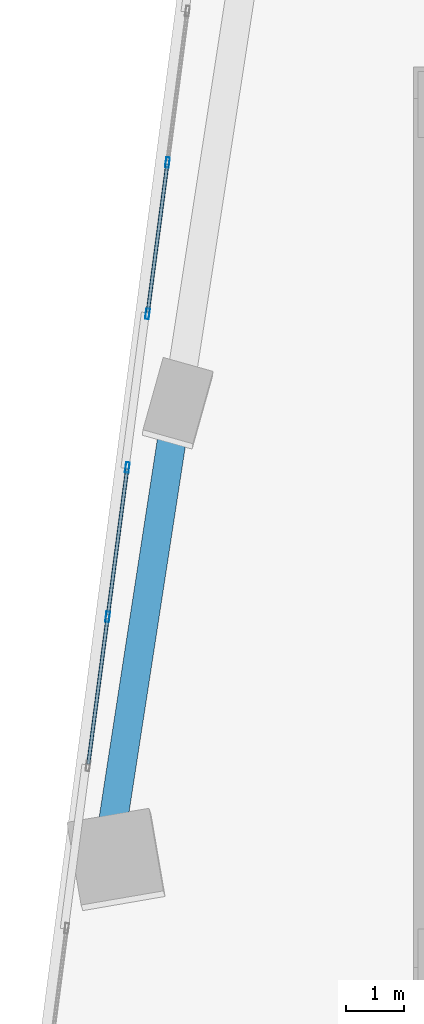
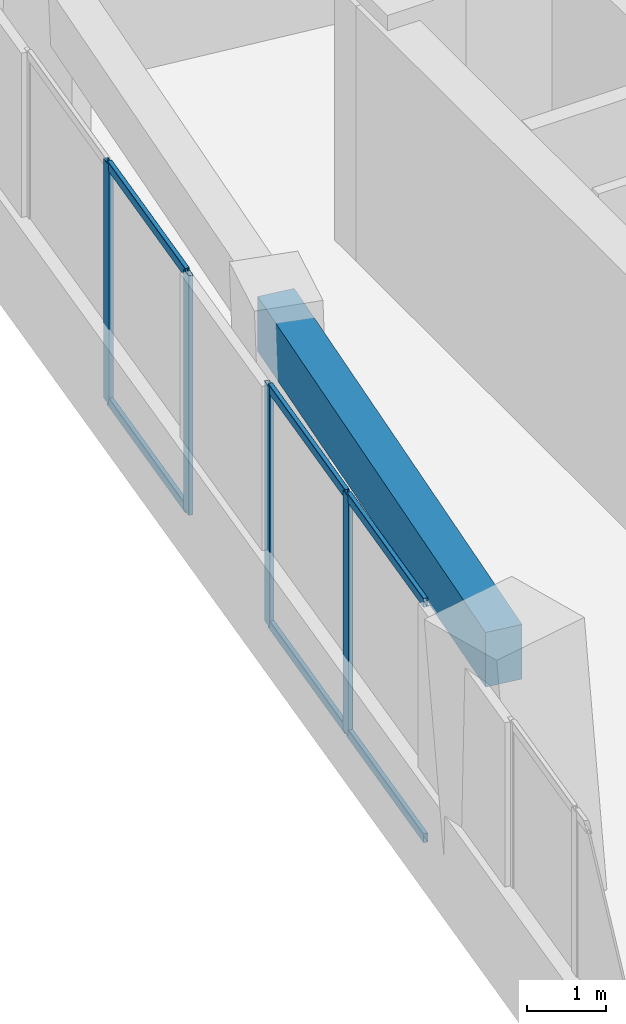
# One storey, part 7 of 24: 10 members, 1 beam, 2 elements without a shape of their own.
"""IFC4 building model written with IfcOpenShell, lengths in metres."""

import ifcopenshell
import ifcopenshell.guid

model = None  # the IFC model being written
_history = None  # IfcOwnerHistory: only IFC2X3 demands one
_inside = {}  # id of a spatial element -> (the spatial element, [elements in it])
_under = {}  # id of a project, library or spatial element -> (it, [spatial elements below it])
_declared = {}  # id of a project -> (the project, [libraries it declares])
_typed = {}  # id of a type object -> (the type object, [elements of that type])
_made_of = {}  # id of a material, layer set ... -> (it, [elements and type objects made of it])


def new_model(schema):
    """Start an empty IFC model of exactly this schema.

    Asked for "IFC4X3", IfcOpenShell would pick the latest addendum, in which some entities
    have other attributes; the version numbers below select the first issue.
    IFC2X3 requires an IfcOwnerHistory on every rooted entity: one is made here for all.
    """
    global model, _history
    if schema == "IFC4X3":
        model = ifcopenshell.file(schema_version=(4, 3, 0, 0))
    else:
        model = ifcopenshell.file(schema=schema)
    _inside.clear()
    _under.clear()
    _declared.clear()
    _typed.clear()
    _made_of.clear()
    _history = None
    if model.schema == "IFC2X3":
        org = make("IfcOrganization", Name="unknown")
        user = make(
            "IfcPersonAndOrganization",
            ThePerson=make("IfcPerson", FamilyName="unknown"),
            TheOrganization=org,
        )
        app = make(
            "IfcApplication",
            ApplicationDeveloper=org,
            Version="unknown",
            ApplicationFullName="unknown",
            ApplicationIdentifier="unknown",
        )
        _history = make(
            "IfcOwnerHistory",
            OwningUser=user,
            OwningApplication=app,
            ChangeAction="ADDED",
            CreationDate=0,
        )
    return model


def make(cls, **values):
    """One entity of the class cls with the attributes given. An attribute that is None is left unset."""
    return model.create_entity(
        cls, **{name: value for name, value in values.items() if value is not None}
    )


def rooted(cls, **values):
    """An entity with a GlobalId (a new one), such as an element, a storey or a relation."""
    return make(cls, GlobalId=ifcopenshell.guid.new(), OwnerHistory=_history, **values)


def si_unit(unit_type, name, prefix=None):
    """IfcSIUnit, for example si_unit("LENGTHUNIT", "METRE", prefix="MILLI")."""
    return make("IfcSIUnit", UnitType=unit_type, Prefix=prefix, Name=name)


def assignment(units):
    """IfcUnitAssignment: the units of a project."""
    return None if units is None else make("IfcUnitAssignment", Units=units)


def point(xyz):
    """IfcCartesianPoint."""
    return None if xyz is None else make("IfcCartesianPoint", Coordinates=xyz)


def direction(xyz):
    """IfcDirection."""
    return None if xyz is None else make("IfcDirection", DirectionRatios=xyz)


def frame(location, z_axis=None, x_axis=None):
    """IfcAxis2Placement3D, a coordinate frame: its origin and axes. An axis left out is left unset."""
    return make(
        "IfcAxis2Placement3D",
        Location=point(location),
        Axis=direction(z_axis),
        RefDirection=direction(x_axis),
    )


def frame_2d(location, x_axis=None):
    """IfcAxis2Placement2D, a coordinate frame in the plane: its origin and x axis."""
    return make(
        "IfcAxis2Placement2D", Location=point(location), RefDirection=direction(x_axis)
    )


def origin():
    """The frame at (0, 0, 0) with its axes left unset."""
    return frame((0.0, 0.0, 0.0))


def origin_2d():
    """The frame at (0, 0) in the plane with its x axis left unset."""
    return frame_2d((0.0, 0.0))


def place(relative_to, where):
    """IfcLocalPlacement: puts the frame where relative to a parent placement (None: the world)."""
    return make(
        "IfcLocalPlacement", PlacementRelTo=relative_to, RelativePlacement=where
    )


def context(
    kind, dimensions, precision=None, world=None, true_north=None, identifier=None
):
    """IfcGeometricRepresentationContext, for example the 3D "Model" context."""
    return make(
        "IfcGeometricRepresentationContext",
        ContextIdentifier=identifier,
        ContextType=kind,
        CoordinateSpaceDimension=dimensions,
        Precision=precision,
        WorldCoordinateSystem=world,
        TrueNorth=true_north,
    )


def subcontext(parent, identifier, kind, view, scale=None):
    """IfcGeometricRepresentationSubContext, for example "Body" below "Model"."""
    return make(
        "IfcGeometricRepresentationSubContext",
        ContextIdentifier=identifier,
        ContextType=kind,
        ParentContext=parent,
        TargetScale=scale,
        TargetView=view,
    )


def project(units=None, contexts=None):
    """IfcProject with its units and contexts."""
    return rooted(
        "IfcProject",
        Name="project",
        RepresentationContexts=contexts,
        UnitsInContext=assignment(units),
    )


def spatial(cls, under=None, at=None, **own):
    """A site, building, storey or space (cls), placed at a placement, below another one or the project."""
    s = rooted(cls, ObjectPlacement=at, **own)
    if under is not None:
        _under.setdefault(under.id(), (under, []))[1].append(s)
    return s


def profile(cls, at=None, kind="AREA", **sizes):
    """A parametric profile (cls). Its sizes go by their IFC names, for example OverallWidth=200.0."""
    return make(cls, ProfileType=kind, Position=at, **sizes)


def rectangle(**sizes):
    """IfcRectangleProfileDef."""
    return profile("IfcRectangleProfileDef", **sizes)


def hollow_rectangle(**sizes):
    """IfcRectangleHollowProfileDef."""
    return profile("IfcRectangleHollowProfileDef", **sizes)


def extrude(swept, where, along, depth):
    """IfcExtrudedAreaSolid: the profile swept, set in the frame where, extruded along a direction by depth."""
    return make(
        "IfcExtrudedAreaSolid",
        SweptArea=swept,
        Position=where,
        ExtrudedDirection=direction(along),
        Depth=depth,
    )


def shape(context_of_items, identifier, shape_type, items):
    """IfcShapeRepresentation: the items that make up one representation, for example the "Body"."""
    return make(
        "IfcShapeRepresentation",
        ContextOfItems=context_of_items,
        RepresentationIdentifier=identifier,
        RepresentationType=shape_type,
        Items=items,
    )


def source(mapping_origin, context_of_items, identifier, shape_type, items):
    """IfcRepresentationMap: a shape defined once, which mapped items show again and again."""
    return make(
        "IfcRepresentationMap",
        MappingOrigin=mapping_origin,
        MappedRepresentation=shape(context_of_items, identifier, shape_type, items),
    )


def transform(
    local_origin,
    x_axis=None,
    y_axis=None,
    z_axis=None,
    scale=None,
    scale2=None,
    scale3=None,
    uniform=True,
):
    """IfcCartesianTransformationOperator3D, or its non-uniform kind. x_axis, y_axis, z_axis: its Axis1, 2, 3."""
    if uniform:
        return make(
            "IfcCartesianTransformationOperator3D",
            Axis1=direction(x_axis),
            Axis2=direction(y_axis),
            LocalOrigin=point(local_origin),
            Scale=scale,
            Axis3=direction(z_axis),
        )
    return make(
        "IfcCartesianTransformationOperator3DnonUniform",
        Axis1=direction(x_axis),
        Axis2=direction(y_axis),
        LocalOrigin=point(local_origin),
        Scale=scale,
        Axis3=direction(z_axis),
        Scale2=scale2,
        Scale3=scale3,
    )


def mapped(mapping_source, mapping_target):
    """IfcMappedItem: shows the shape of a source again, moved by a transform."""
    return make(
        "IfcMappedItem", MappingSource=mapping_source, MappingTarget=mapping_target
    )


def material(Name=None, Category=None):
    """IfcMaterial."""
    return make("IfcMaterial", Name=Name, Category=Category)


def material_profile(
    of_material, cross_section, Name=None, Category=None, Priority=None
):
    """IfcMaterialProfile: a cross section and its material."""
    return make(
        "IfcMaterialProfile",
        Name=Name,
        Material=of_material,
        Profile=cross_section,
        Priority=Priority,
        Category=Category,
    )


def profile_set(profiles, Name=None, composite=None):
    """IfcMaterialProfileSet."""
    return make(
        "IfcMaterialProfileSet",
        Name=Name,
        MaterialProfiles=profiles,
        CompositeProfile=composite,
    )


def made_of(thing, what):
    """Note that an element or type object is made of a material, layer set ...; save() writes the relation."""
    if what is not None:
        _made_of.setdefault(what.id(), (what, []))[1].append(thing)
    return thing


def type_object(cls, material=None, **own):
    """A type object (cls), such as IfcWallType, which elements share."""
    return made_of(rooted(cls, **own), material)


def element(
    cls,
    number,
    at=None,
    inside=None,
    cuts=None,
    type_object=None,
    material=None,
    context=None,
    identifier="Body",
    shape_type=None,
    held_by="IfcProductDefinitionShape",
    body=None,
    shapes=None,
    **own,
):
    """One element of the class cls, such as IfcWall. Its Tag is "e" and its number.

    at: its placement. inside: the storey or other place that contains it. cuts: it is an
    opening in that element (IfcRelVoidsElement). A single representation is given by context,
    identifier, shape_type and body (its items); several are given by shapes. held_by: the class
    of the entity that holds the representations. save() writes the other relations.
    """
    e = rooted(cls, Tag="e%d" % number, ObjectPlacement=at, **own)
    if body is not None:
        shapes = [shape(context, identifier, shape_type, body)]
    if shapes is not None:
        e.Representation = make(held_by, Representations=shapes)
    if inside is not None:
        _inside.setdefault(inside.id(), (inside, []))[1].append(e)
    if cuts is not None:
        rooted(
            "IfcRelVoidsElement", RelatingBuildingElement=cuts, RelatedOpeningElement=e
        )
    if type_object is not None:
        _typed.setdefault(type_object.id(), (type_object, []))[1].append(e)
    return made_of(e, material)


def aggregate(whole, parts):
    """IfcRelAggregates: a whole, such as a stair, and the parts it consists of."""
    return rooted("IfcRelAggregates", RelatingObject=whole, RelatedObjects=parts)


def save(model, path):
    """Write the relations noted so far, then the file.

    IfcRelAggregates (storeys below a building ...), IfcRelContainedInSpatialStructure (elements
    in a storey), IfcRelDefinesByType, IfcRelAssociatesMaterial and IfcRelDeclares: one each for
    every whole, place, type object, material and project.
    """
    for whole, parts in _under.values():
        aggregate(whole, parts)
    for where, things in _inside.values():
        rooted(
            "IfcRelContainedInSpatialStructure",
            RelatedElements=things,
            RelatingStructure=where,
        )
    for kind, things in _typed.values():
        rooted("IfcRelDefinesByType", RelatedObjects=things, RelatingType=kind)
    for what, things in _made_of.values():
        rooted("IfcRelAssociatesMaterial", RelatedObjects=things, RelatingMaterial=what)
    for by, libraries in _declared.values():
        rooted("IfcRelDeclares", RelatingContext=by, RelatedDefinitions=libraries)
    model.write(path)


model = new_model("IFC4")

# Units and contexts
model_context = context("Model", 3, precision=1e-05, world=origin(), true_north=direction((0.0, 1.0)))
body_context = subcontext(model_context, "Body", "Model", "MODEL_VIEW")
ifc_project = project(units=[si_unit("LENGTHUNIT", "METRE"), si_unit("AREAUNIT", "SQUARE_METRE"), si_unit("VOLUMEUNIT", "CUBIC_METRE"), si_unit("PLANEANGLEUNIT", "RADIAN"), si_unit("MASSUNIT", "GRAM", prefix="KILO")], contexts=[model_context])

# Site, building, storey
site_placement = place(None, origin())
site = spatial("IfcSite", under=ifc_project, at=site_placement, CompositionType="ELEMENT")
building_placement = place(site_placement, origin())
building = spatial("IfcBuilding", under=site, at=building_placement, Name="Torre Montelarca", CompositionType="ELEMENT")
storey_placement = place(building_placement, frame((0.0, 0.0, 66.39990234375)))
storey = spatial("IfcBuildingStorey", under=building, at=storey_placement, Name="L14", CompositionType="ELEMENT", Elevation=66.39990234375)

# Beam
ifc_material_1 = material(Name="Concrete C55/67", Category="concrete")
ifc_material_profile_1 = material_profile(ifc_material_1, rectangle(XDim=0.5, YDim=0.85009765625, at=origin_2d()), Name="RCB500X850", Category="concrete")
ifc_profile_set_1 = profile_set([ifc_material_profile_1], Name="Concrete C55/67")
beam_type = type_object("IfcBeamType", Name="BM-SP-RC850-EXT", PredefinedType="SPANDREL", material=ifc_profile_set_1)
shared_shape_1 = source(origin(), body_context, "Body", "SweptSolid", [
    extrude(rectangle(XDim=0.5, YDim=0.85009765625, at=origin_2d()), origin(), (0.0, 0.0, 1.0), 7.999755859375),
])
beam_placement = place(storey_placement, frame((3.629150390625, 26.656494140625, 3.53515625), z_axis=(0.152132861706, 0.988360052, 0.0), x_axis=(-0.988360052, 0.152132861706, 0.0)))
element("IfcBeam", 1, at=beam_placement, inside=storey, type_object=beam_type, Name="L14 Grid Girder Y 24.0-32.0 at X=4.7", PredefinedType="SPANDREL", context=body_context, shape_type="MappedRepresentation", body=[
    mapped(shared_shape_1, transform((0.0, 0.0, 0.0), scale=1.0)),
])

# Curtain wall, members
ifc_material_2 = material(Name="Insulated low-E laminated glass", Category="glass")
curtain_wall_type = type_object("IfcCurtainWallType", Name="CW-SYS-Z1", PredefinedType="USERDEFINED", material=ifc_material_2)
curtain_wall_1_placement = place(storey_placement, origin())
curtain_wall_1 = element("IfcCurtainWall", 2, at=curtain_wall_1_placement, inside=storey, type_object=curtain_wall_type, Name="L14 Curtain Wall Run CW-T3-L14-E10-B1", ObjectType="UNITISED GLAZING", PredefinedType="USERDEFINED")
ifc_material_3 = material(Name="Anodised aluminium AA 6063-T6", Category="aluminium")
ifc_material_profile_2 = material_profile(ifc_material_3, hollow_rectangle(XDim=0.06494140625, YDim=0.139892578125, WallThickness=0.00390625, InnerFilletRadius=0.00390625, OuterFilletRadius=0.008056640625, at=origin_2d()), Name="ALU65X140X4", Category="aluminium")
ifc_profile_set_2 = profile_set([ifc_material_profile_2], Name="Anodised aluminium AA 6063-T6")
member_type_1 = type_object("IfcMemberType", Name="CWT-ALU140", PredefinedType="USERDEFINED", material=ifc_profile_set_2)
shared_shape_2 = source(origin(), body_context, "Body", "SweptSolid", [
    extrude(hollow_rectangle(XDim=0.06494140625, YDim=0.139892578125, WallThickness=0.00390625, InnerFilletRadius=0.00390625, OuterFilletRadius=0.008056640625, at=origin_2d()), origin(), (0.0, 0.0, 1.0), 2.5888671875),
])
member_1_placement = place(storey_placement, frame((4.622314453125, 38.4091796875, 0.03271484375), z_axis=(-0.130613077624, -0.99143341882, 0.0), x_axis=(0.99143341882, -0.130613077624, 0.0)))
member_1 = element("IfcMember", 3, at=member_1_placement, type_object=member_type_1, Name="CW transom 2.1", ObjectType="TRANSOM", PredefinedType="USERDEFINED", context=body_context, shape_type="MappedRepresentation", body=[
    mapped(shared_shape_2, transform((0.0, 0.0, 0.0), scale=1.0)),
])
member_2_placement = place(storey_placement, frame((4.622314453125, 38.4091796875, 3.6875), z_axis=(-0.130613077624, -0.99143341882, 0.0), x_axis=(0.99143341882, -0.130613077624, 0.0)))
member_2 = element("IfcMember", 4, at=member_2_placement, type_object=member_type_1, Name="CW transom 2.2", ObjectType="TRANSOM", PredefinedType="USERDEFINED", context=body_context, shape_type="MappedRepresentation", body=[
    mapped(shared_shape_2, transform((0.0, 0.0, 0.0), scale=1.0)),
])

curtain_wall_2_placement = place(storey_placement, origin())
curtain_wall_2 = element("IfcCurtainWall", 5, at=curtain_wall_2_placement, inside=storey, type_object=curtain_wall_type, Name="L14 Curtain Wall Run CW-T3-L14-E10-B2", ObjectType="UNITISED GLAZING", PredefinedType="USERDEFINED")
shared_shape_3 = source(origin(), body_context, "Body", "SweptSolid", [
    extrude(hollow_rectangle(XDim=0.06494140625, YDim=0.139892578125, WallThickness=0.00390625, InnerFilletRadius=0.00390625, OuterFilletRadius=0.008056640625, at=origin_2d()), origin(), (0.0, 0.0, 1.0), 2.55029296875),
])
member_3_placement = place(storey_placement, frame((3.92431640625, 33.108642578125, 0.03271484375), z_axis=(-0.130476799032, -0.991451362859, 0.0), x_axis=(0.991451362859, -0.130476799032, 0.0)))
member_3 = element("IfcMember", 6, at=member_3_placement, type_object=member_type_1, Name="CW transom 1.1", ObjectType="TRANSOM", PredefinedType="USERDEFINED", context=body_context, shape_type="MappedRepresentation", body=[
    mapped(shared_shape_3, transform((0.0, 0.0, 0.0), scale=1.0)),
])
member_4_placement = place(storey_placement, frame((3.92431640625, 33.108642578125, 3.6875), z_axis=(-0.130476799032, -0.991451362859, 0.0), x_axis=(0.991451362859, -0.130476799032, 0.0)))
member_4 = element("IfcMember", 7, at=member_4_placement, type_object=member_type_1, Name="CW transom 1.2", ObjectType="TRANSOM", PredefinedType="USERDEFINED", context=body_context, shape_type="MappedRepresentation", body=[
    mapped(shared_shape_3, transform((0.0, 0.0, 0.0), scale=1.0)),
])

# Member
ifc_material_profile_3 = material_profile(ifc_material_3, hollow_rectangle(XDim=0.06494140625, YDim=0.179931640625, WallThickness=0.00390625, InnerFilletRadius=0.00390625, OuterFilletRadius=0.008056640625, at=origin_2d()), Name="ALU65X180X4", Category="aluminium")
ifc_profile_set_3 = profile_set([ifc_material_profile_3], Name="Anodised aluminium AA 6063-T6")
member_type_2 = type_object("IfcMemberType", Name="CWM-ALU180", PredefinedType="MULLION", material=ifc_profile_set_3)
shared_shape_4 = source(origin(), body_context, "Body", "SweptSolid", [
    extrude(hollow_rectangle(XDim=0.06494140625, YDim=0.179931640625, WallThickness=0.00390625, InnerFilletRadius=0.00390625, OuterFilletRadius=0.008056640625, at=origin_2d()), origin(), (0.0, 0.0, 1.0), 3.72021484375),
])
member_5_placement = place(storey_placement, frame((4.62646484375, 38.44140625, 0.0), z_axis=(0.0, 0.0, 1.0), x_axis=(0.991443268198, -0.13053829302, 0.0)))
member_5 = element("IfcMember", 8, at=member_5_placement, type_object=member_type_2, Name="CW mullion 2", PredefinedType="MULLION", context=body_context, shape_type="MappedRepresentation", body=[
    mapped(shared_shape_4, transform((0.0, 0.0, 0.0), scale=1.0)),
])

member_6_placement = place(storey_placement, frame((4.280029296875, 35.810302734375, 0.0), z_axis=(0.0, 0.0, 1.0), x_axis=(0.991443268198, -0.13053829302, 0.0)))
member_6 = element("IfcMember", 9, at=member_6_placement, type_object=member_type_2, Name="CW mullion 3", PredefinedType="MULLION", context=body_context, shape_type="MappedRepresentation", body=[
    mapped(shared_shape_4, transform((0.0, 0.0, 0.0), scale=1.0)),
])

aggregate(curtain_wall_1, [member_5, member_6, member_1, member_2])

member_7_placement = place(storey_placement, frame((3.928466796875, 33.140869140625, 0.0), z_axis=(0.0, 0.0, 1.0), x_axis=(0.991444908852, -0.130525831588, 0.0)))
member_7 = element("IfcMember", 10, at=member_7_placement, type_object=member_type_2, Name="CW mullion 1", PredefinedType="MULLION", context=body_context, shape_type="MappedRepresentation", body=[
    mapped(shared_shape_4, transform((0.0, 0.0, 0.0), scale=1.0)),
])

member_8_placement = place(storey_placement, frame((3.587158203125, 30.5478515625, 0.0), z_axis=(0.0, 0.0, 1.0), x_axis=(0.991444908852, -0.130525831588, 0.0)))
member_8 = element("IfcMember", 11, at=member_8_placement, type_object=member_type_2, Name="CW mullion 2", PredefinedType="MULLION", context=body_context, shape_type="MappedRepresentation", body=[
    mapped(shared_shape_4, transform((0.0, 0.0, 0.0), scale=1.0)),
])

shared_shape_5 = source(origin(), body_context, "Body", "SweptSolid", [
    extrude(hollow_rectangle(XDim=0.06494140625, YDim=0.139892578125, WallThickness=0.00390625, InnerFilletRadius=0.00390625, OuterFilletRadius=0.008056640625, at=origin_2d()), origin(), (0.0, 0.0, 1.0), 2.550048828125),
])
member_9_placement = place(storey_placement, frame((3.5830078125, 30.515625, 0.03271484375), z_axis=(-0.130583288492, -0.991437342834, 0.0), x_axis=(0.991437342834, -0.130583288492, 0.0)))
member_9 = element("IfcMember", 12, at=member_9_placement, type_object=member_type_1, Name="CW transom 2.1", ObjectType="TRANSOM", PredefinedType="USERDEFINED", context=body_context, shape_type="MappedRepresentation", body=[
    mapped(shared_shape_5, transform((0.0, 0.0, 0.0), scale=1.0)),
])

member_10_placement = place(storey_placement, frame((3.5830078125, 30.515625, 3.6875), z_axis=(-0.130583288492, -0.991437342834, 0.0), x_axis=(0.991437342834, -0.130583288492, 0.0)))
member_10 = element("IfcMember", 13, at=member_10_placement, type_object=member_type_1, Name="CW transom 2.2", ObjectType="TRANSOM", PredefinedType="USERDEFINED", context=body_context, shape_type="MappedRepresentation", body=[
    mapped(shared_shape_5, transform((0.0, 0.0, 0.0), scale=1.0)),
])

aggregate(curtain_wall_2, [member_7, member_8, member_3, member_4, member_9, member_10])

save(model, "model.ifc")
